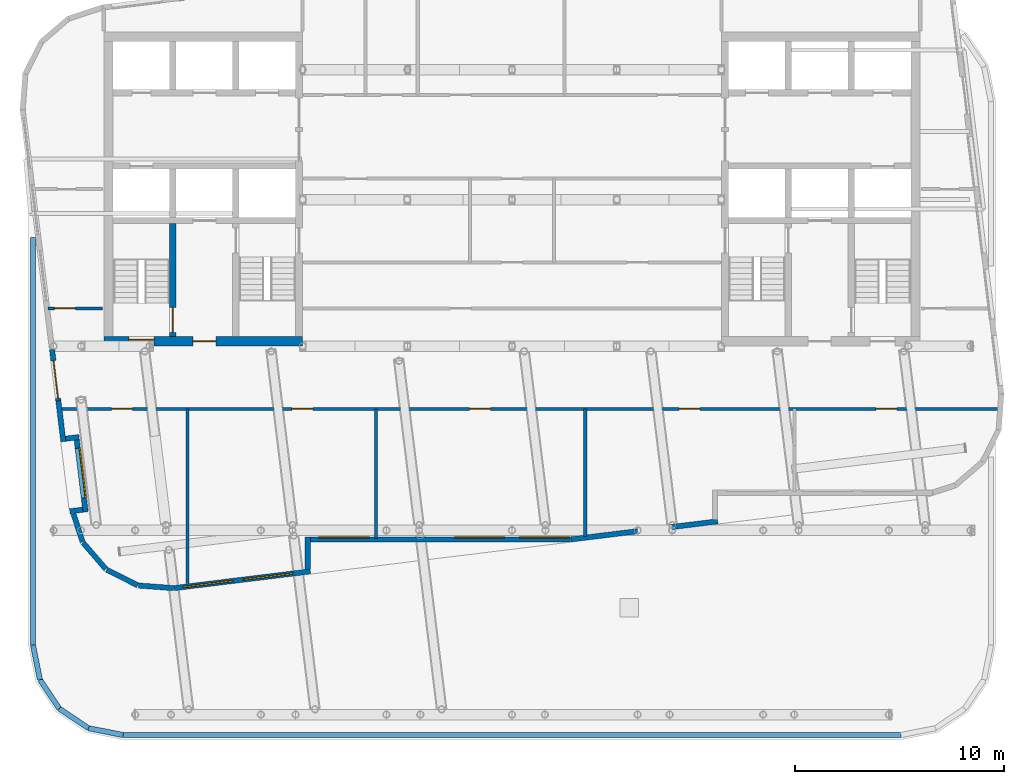
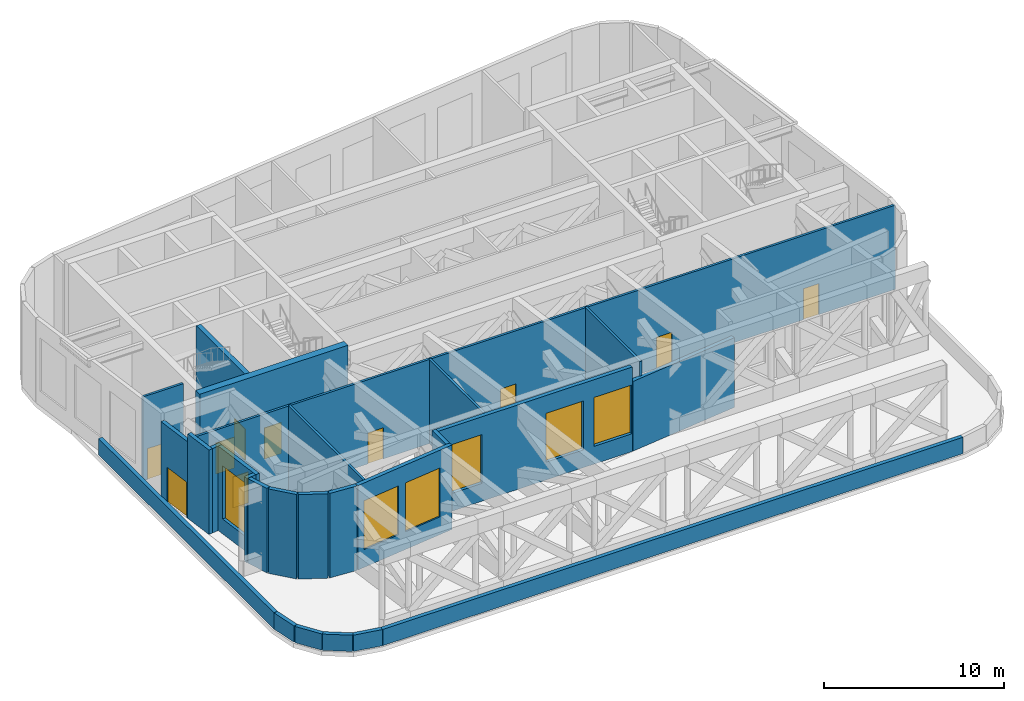
# One storey, part 9 of 16: 26 walls, 10 doors, 6 windows, 16 openings.
"""IFC4 building model written with IfcOpenShell, lengths in metres."""

from ifc_helpers import new_model, si_unit, direction, frame, frame_2d, origin, place, context, subcontext, project, spatial, rectangle, extrude, material, layer, layer_set, type_object, element, fill, save


model = new_model("IFC4")

# Units and contexts
model_context = context("Model", 3, precision=1e-05, world=origin(), true_north=direction((0.0, 1.0)))
body_context = subcontext(model_context, "Body", "Model", "MODEL_VIEW")
ifc_project = project(units=[si_unit("LENGTHUNIT", "METRE"), si_unit("AREAUNIT", "SQUARE_METRE"), si_unit("VOLUMEUNIT", "CUBIC_METRE"), si_unit("PLANEANGLEUNIT", "RADIAN"), si_unit("MASSUNIT", "GRAM", prefix="KILO")], contexts=[model_context])

# Site, building, storey
site_placement = place(None, origin())
site = spatial("IfcSite", under=ifc_project, at=site_placement, CompositionType="ELEMENT")
building_placement = place(site_placement, origin())
building = spatial("IfcBuilding", under=site, at=building_placement, Name="Torana Hotel and Residences", CompositionType="ELEMENT")
storey_placement = place(building_placement, frame((0.0, 0.0, 308.60009765625)))
storey = spatial("IfcBuildingStorey", under=building, at=storey_placement, Name="L82", CompositionType="ELEMENT", Elevation=308.60009765625)

# Wall, opening, door
ifc_material_1 = material(Name="Concrete C60/75", Category="concrete")
ifc_layer_1 = layer(ifc_material_1, 0.300048828125)
ifc_layer_set_1 = layer_set([ifc_layer_1], Name="CORE WALL 300 C60/75")
wall_type_1 = type_object("IfcWallType", Name="CORE WALL 300 C60/75", PredefinedType="SHEAR", material=ifc_layer_set_1)
wall_1_placement = place(storey_placement, frame((-16.199951171875, -14.550048828125, 0.0), z_axis=(0.0, 0.0, 1.0), x_axis=(0.0, 1.0, 0.0)))
wall_1 = element("IfcWall", 1, at=wall_1_placement, inside=storey, type_object=wall_type_1, Name="Core wall W x6.05-band", PredefinedType="SHEAR", context=body_context, shape_type="SweptSolid", body=[
    extrude(rectangle(XDim=5.400146484375, YDim=0.300048828125, at=frame_2d((2.7001953125, 0.0))), origin(), (0.0, 0.0, 1.0), 6.0),
])
opening_1_placement = place(wall_1_placement, frame((0.199951171875, 0.0, 0.0)))
opening_1 = element("IfcOpeningElement", 2, at=opening_1_placement, cuts=wall_1, Name="Opening L82-08", PredefinedType="OPENING", context=body_context, shape_type="SweptSolid", body=[
    extrude(rectangle(XDim=1.199951171875, YDim=2.10009765625, at=frame_2d((0.60009765625, 1.050048828125))), frame((0.0, 0.159912109375, 0.0), z_axis=(0.0, -1.0, 0.0), x_axis=(1.0, 0.0, 0.0)), (0.0, 0.0, 1.0), 0.320068359375),
])
ifc_material_2 = material(Name="Steel S235", Category="steel")
door_type_1 = type_object("IfcDoorType", Name="STAIR FIRE DOOR D3 1200x2100", OperationType="SINGLE_SWING_LEFT", PredefinedType="DOOR", material=ifc_material_2)
door_1_placement = place(opening_1_placement, origin())
door_1 = element("IfcDoor", 3, at=door_1_placement, inside=storey, type_object=door_type_1, Name="Stair-B-lobby door L82", OperationType="SINGLE_SWING_RIGHT", OverallHeight=2.10009765625, OverallWidth=1.199951171875, PredefinedType="DOOR", context=body_context, shape_type="SweptSolid", body=[
    extrude(rectangle(XDim=1.199951171875, YDim=2.10009765625, at=frame_2d((0.60009765625, 1.050048828125))), frame((0.0, 0.02490234375, 0.0), z_axis=(0.0, -1.0, 0.0), x_axis=(1.0, 0.0, 0.0)), (0.0, 0.0, 1.0), 0.050048828125),
])
fill(opening_1, door_1)

# Wall, openings, doors
ifc_material_3 = material(Name="Concrete C60/75", Category="concrete")
ifc_layer_2 = layer(ifc_material_3, 0.449951171875)
ifc_layer_set_2 = layer_set([ifc_layer_2], Name="CORE WALL 450 C60/75")
wall_type_2 = type_object("IfcWallType", Name="CORE WALL 450 C60/75", PredefinedType="SHEAR", material=ifc_layer_set_2)
wall_2_placement = place(storey_placement, frame((-19.5, -14.77490234375, 0.0), z_axis=(0.0, 0.0, 1.0), x_axis=(1.0, 0.0, 0.0)))
wall_2 = element("IfcWall", 4, at=wall_2_placement, inside=storey, type_object=wall_type_2, Name="Core wall W front", PredefinedType="SHEAR", context=body_context, shape_type="SweptSolid", body=[
    extrude(rectangle(XDim=9.5, YDim=0.449951171875, at=frame_2d((4.75, 0.0))), origin(), (0.0, 0.0, 1.0), 6.0),
])
opening_2_placement = place(wall_2_placement, frame((1.199951171875, 0.0, 0.0)))
opening_2 = element("IfcOpeningElement", 5, at=opening_2_placement, cuts=wall_2, Name="Opening L82-04", PredefinedType="OPENING", context=body_context, shape_type="SweptSolid", body=[
    extrude(rectangle(XDim=1.199951171875, YDim=2.10009765625, at=frame_2d((0.60009765625, 1.050048828125))), frame((0.0, 0.23486328125, 0.0), z_axis=(0.0, -1.0, 0.0), x_axis=(1.0, 0.0, 0.0)), (0.0, 0.0, 1.0), 0.469970703125),
])
opening_3_placement = place(wall_2_placement, frame((4.25, 0.0, 0.0)))
opening_3 = element("IfcOpeningElement", 6, at=opening_3_placement, cuts=wall_2, Name="Opening L82-05", PredefinedType="OPENING", context=body_context, shape_type="SweptSolid", body=[
    extrude(rectangle(XDim=1.10009765625, YDim=2.10009765625, at=frame_2d((0.550048828125, 1.050048828125))), frame((0.0, 0.23486328125, 0.0), z_axis=(0.0, -1.0, 0.0), x_axis=(1.0, 0.0, 0.0)), (0.0, 0.0, 1.0), 0.469970703125),
])
ifc_material_4 = material(Name="Steel S235", Category="steel")
door_type_2 = type_object("IfcDoorType", Name="FIRE-FIGHTING LOBBY DOOR D8 1100x2100", OperationType="SINGLE_SWING_LEFT", PredefinedType="DOOR", material=ifc_material_4)
door_2_placement = place(opening_3_placement, origin())
door_2 = element("IfcDoor", 7, at=door_2_placement, inside=storey, type_object=door_type_2, Name="FF-lobby door L82", OperationType="SINGLE_SWING_RIGHT", OverallHeight=2.10009765625, OverallWidth=1.10009765625, PredefinedType="DOOR", context=body_context, shape_type="SweptSolid", body=[
    extrude(rectangle(XDim=1.10009765625, YDim=2.10009765625, at=frame_2d((0.550048828125, 1.050048828125))), frame((0.0, 0.02490234375, 0.0), z_axis=(0.0, -1.0, 0.0), x_axis=(1.0, 0.0, 0.0)), (0.0, 0.0, 1.0), 0.050048828125),
])
fill(opening_3, door_2)
door_3_placement = place(opening_2_placement, origin())
door_3 = element("IfcDoor", 8, at=door_3_placement, inside=storey, type_object=door_type_1, Name="Stair-B door L82", OperationType="SINGLE_SWING_RIGHT", OverallHeight=2.10009765625, OverallWidth=1.199951171875, PredefinedType="DOOR", context=body_context, shape_type="SweptSolid", body=[
    extrude(rectangle(XDim=1.199951171875, YDim=2.10009765625, at=frame_2d((0.60009765625, 1.050048828125))), frame((0.0, 0.10498046875, 0.0), z_axis=(0.0, -1.0, 0.0), x_axis=(1.0, 0.0, 0.0)), (0.0, 0.0, 1.0), 0.050048828125),
])
fill(opening_2, door_3)

# Wall
ifc_material_5 = material(Name="Aluminium louvre wall", Category="aluminium")
ifc_layer_3 = layer(ifc_material_5, 0.25)
ifc_layer_set_3 = layer_set([ifc_layer_3], Name="EW3 LOUVRE WALL 250")
wall_type_3 = type_object("IfcWallType", Name="EW3 LOUVRE WALL 250", PredefinedType="SOLIDWALL", material=ifc_layer_set_3)
wall_3_placement = place(storey_placement, frame((-21.3212890625, -19.423583984375, 0.0), z_axis=(0.0, 0.0, 1.0), x_axis=(0.992544261174, 0.121884739035, 0.0)))
element("IfcWall", 9, at=wall_3_placement, inside=storey, type_object=wall_type_3, Name="Louvre wall L82 e0.9r1", PredefinedType="SOLIDWALL", context=body_context, shape_type="SweptSolid", body=[
    extrude(rectangle(XDim=0.64306640625, YDim=0.25, at=frame_2d((0.321533203125, 0.0))), origin(), (0.0, 0.0, 1.0), 5.719970703125),
])

# Wall, opening, window
wall_4_placement = place(storey_placement, frame((-20.7919921875, -19.484619140625, 0.0), z_axis=(0.0, 0.0, 1.0), x_axis=(0.121849912676, -0.992548537242, 0.0)))
wall_4 = element("IfcWall", 10, at=wall_4_placement, inside=storey, type_object=wall_type_3, Name="Louvre wall L82 e0.9b", PredefinedType="SOLIDWALL", context=body_context, shape_type="SweptSolid", body=[
    extrude(rectangle(XDim=3.46630859375, YDim=0.25, at=frame_2d((1.733154296875, 0.0))), origin(), (0.0, 0.0, 1.0), 5.719970703125),
])
opening_4_placement = place(wall_4_placement, frame((0.39599609375, 0.0, 1.0048828125)))
opening_4 = element("IfcOpeningElement", 11, at=opening_4_placement, cuts=wall_4, Name="Opening LV2", PredefinedType="OPENING", context=body_context, shape_type="SweptSolid", body=[
    extrude(rectangle(XDim=2.39990234375, YDim=3.60009765625, at=frame_2d((1.199951171875, 1.800048828125))), frame((0.0, 0.135009765625, 0.0), z_axis=(0.0, -1.0, 0.0), x_axis=(1.0, 0.0, 0.0)), (0.0, 0.0, 1.0), 0.27001953125),
])
ifc_material_6 = material(Name="Aluminium louvre blades", Category="aluminium")
window_type = type_object("IfcWindowType", Name="LV2 LOUVRE 2400x3600", PartitioningType="SINGLE_PANEL", PredefinedType="USERDEFINED", material=ifc_material_6)
window_1_placement = place(opening_4_placement, origin())
window_1 = element("IfcWindow", 12, at=window_1_placement, inside=storey, type_object=window_type, Name="Louvre L82", ObjectType="LOUVRE", OverallHeight=3.60009765625, OverallWidth=2.39990234375, PartitioningType="SINGLE_PANEL", PredefinedType="USERDEFINED", context=body_context, shape_type="SweptSolid", body=[
    extrude(rectangle(XDim=2.39990234375, YDim=3.60009765625, at=frame_2d((1.199951171875, 1.800048828125))), frame((0.0, 0.125, 0.0), z_axis=(0.0, -1.0, 0.0), x_axis=(1.0, 0.0, 0.0)), (0.0, 0.0, 1.0), 0.06005859375),
])
fill(opening_4, window_1)

# Walls
wall_5_placement = place(storey_placement, frame((-20.5087890625, -22.816162109375, 0.0), z_axis=(0.0, 0.0, 1.0), x_axis=(-0.992567834349, -0.121692621863, 0.0)))
element("IfcWall", 13, at=wall_5_placement, inside=storey, type_object=wall_type_3, Name="Louvre wall L82 e0.9r2", PredefinedType="SOLIDWALL", context=body_context, shape_type="SweptSolid", body=[
    extrude(rectangle(XDim=0.615966796875, YDim=0.25, at=frame_2d((0.30810546875, 0.0))), origin(), (0.0, 0.0, 1.0), 5.719970703125),
])
wall_6_placement = place(storey_placement, frame((-20.9482421875, -23.020751953125, 0.0), z_axis=(0.0, 0.0, 1.0), x_axis=(0.31308991213, -0.949723489718, 0.0)))
element("IfcWall", 14, at=wall_6_placement, inside=storey, type_object=wall_type_3, Name="Louvre wall L82 e0.10", PredefinedType="SOLIDWALL", context=body_context, shape_type="SweptSolid", body=[
    extrude(rectangle(XDim=1.4013671875, YDim=0.25, at=frame_2d((0.70068359375, 0.0))), origin(), (0.0, 0.0, 1.0), 5.719970703125),
])
for number, where, z_axis, x_axis, name in (
    (15, (-20.4853515625, -24.39404296875, 0.0), (0.0, 0.0, 1.0), (0.652755886531, -0.757568315466, 0.0), "Louvre wall L82 e0.11"),
    (16, (-19.36572265625, -25.678955078125, 0.0), (0.0, 0.0, 1.0), (0.893007580524, -0.450041621549, 0.0), "Louvre wall L82 e0.12"),
):
    element("IfcWall", number, at=place(storey_placement, frame(where, z_axis=z_axis, x_axis=x_axis)), inside=storey, type_object=wall_type_3, Name=name, PredefinedType="SOLIDWALL", context=body_context, shape_type="SweptSolid", body=[
        extrude(rectangle(XDim=1.65625, YDim=0.25, at=frame_2d((0.828125, 0.0))), origin(), (0.0, 0.0, 1.0), 5.719970703125),
    ])
wall_7_placement = place(storey_placement, frame((-17.839599609375, -26.4375, 0.0), z_axis=(0.0, 0.0, 1.0), x_axis=(0.997254267475, -0.074053534713, 0.0)))
element("IfcWall", 17, at=wall_7_placement, inside=storey, type_object=wall_type_3, Name="Louvre wall L82 e0.13", PredefinedType="SOLIDWALL", context=body_context, shape_type="SweptSolid", body=[
    extrude(rectangle(XDim=1.681396484375, YDim=0.25, at=frame_2d((0.8408203125, 0.0))), origin(), (0.0, 0.0, 1.0), 5.719970703125),
])

# Wall, openings, windows
wall_8_placement = place(storey_placement, frame((-16.13818359375, -26.561279296875, 0.0), z_axis=(0.0, 0.0, 1.0), x_axis=(0.992550651974, 0.12183268554, 0.0)))
wall_8 = element("IfcWall", 18, at=wall_8_placement, inside=storey, type_object=wall_type_3, Name="Louvre wall L82 e0.14a", PredefinedType="SOLIDWALL", context=body_context, shape_type="SweptSolid", body=[
    extrude(rectangle(XDim=6.55078125, YDim=0.25, at=frame_2d((3.275390625, 0.0))), origin(), (0.0, 0.0, 1.0), 5.719970703125),
])
opening_5_placement = place(wall_8_placement, frame((0.43408203125, 0.0, 1.205078125)))
opening_5 = element("IfcOpeningElement", 19, at=opening_5_placement, cuts=wall_8, Name="Opening LV2", PredefinedType="OPENING", context=body_context, shape_type="SweptSolid", body=[
    extrude(rectangle(XDim=2.39990234375, YDim=3.31005859375, at=frame_2d((1.199951171875, 1.655029296875))), frame((0.0, 0.135009765625, 0.0), z_axis=(0.0, -1.0, 0.0), x_axis=(1.0, 0.0, 0.0)), (0.0, 0.0, 1.0), 0.27001953125),
])
opening_6_placement = place(wall_8_placement, frame((3.302490234375, 0.0, 1.205078125)))
opening_6 = element("IfcOpeningElement", 20, at=opening_6_placement, cuts=wall_8, Name="Opening LV2", PredefinedType="OPENING", context=body_context, shape_type="SweptSolid", body=[
    extrude(rectangle(XDim=2.39990234375, YDim=3.31005859375, at=frame_2d((1.199951171875, 1.655029296875))), frame((0.0, 0.135009765625, 0.0), z_axis=(0.0, -1.0, 0.0), x_axis=(1.0, 0.0, 0.0)), (0.0, 0.0, 1.0), 0.27001953125),
])
window_2_placement = place(opening_5_placement, origin())
window_2 = element("IfcWindow", 21, at=window_2_placement, inside=storey, type_object=window_type, Name="Louvre L82", ObjectType="LOUVRE", OverallHeight=3.31005859375, OverallWidth=2.39990234375, PartitioningType="SINGLE_PANEL", PredefinedType="USERDEFINED", context=body_context, shape_type="SweptSolid", body=[
    extrude(rectangle(XDim=2.39990234375, YDim=3.31005859375, at=frame_2d((1.199951171875, 1.655029296875))), frame((0.0, 0.030029296875, 0.0), z_axis=(0.0, -1.0, 0.0), x_axis=(1.0, 0.0, 0.0)), (0.0, 0.0, 1.0), 0.06005859375),
])
fill(opening_5, window_2)
window_3_placement = place(opening_6_placement, origin())
window_3 = element("IfcWindow", 22, at=window_3_placement, inside=storey, type_object=window_type, Name="Louvre L82", ObjectType="LOUVRE", OverallHeight=3.31005859375, OverallWidth=2.39990234375, PartitioningType="SINGLE_PANEL", PredefinedType="USERDEFINED", context=body_context, shape_type="SweptSolid", body=[
    extrude(rectangle(XDim=2.39990234375, YDim=3.31005859375, at=frame_2d((1.199951171875, 1.655029296875))), frame((0.0, 0.030029296875, 0.0), z_axis=(0.0, -1.0, 0.0), x_axis=(1.0, 0.0, 0.0)), (0.0, 0.0, 1.0), 0.06005859375),
])
fill(opening_6, window_3)

# Wall
wall_9_placement = place(storey_placement, frame((-9.76025390625, -25.667724609375, 0.0), z_axis=(0.0, 0.0, 1.0), x_axis=(0.0, 1.0, 0.0)))
element("IfcWall", 23, at=wall_9_placement, inside=storey, type_object=wall_type_3, Name="Louvre wall L82 e0.14r1", PredefinedType="SOLIDWALL", context=body_context, shape_type="SweptSolid", body=[
    extrude(rectangle(XDim=1.5576171875, YDim=0.25, at=frame_2d((0.77880859375, 0.0))), origin(), (0.0, 0.0, 1.0), 5.719970703125),
])

# Wall, openings, windows
wall_10_placement = place(storey_placement, frame((-9.63525390625, -24.235107421875, 0.0), z_axis=(0.0, 0.0, 1.0), x_axis=(1.0, 0.0, 0.0)))
wall_10 = element("IfcWall", 24, at=wall_10_placement, inside=storey, type_object=wall_type_3, Name="Louvre wall L82 e0.14b", PredefinedType="SOLIDWALL", context=body_context, shape_type="SweptSolid", body=[
    extrude(rectangle(XDim=12.43701171875, YDim=0.25, at=frame_2d((6.218505859375, 0.0))), origin(), (0.0, 0.0, 1.0), 5.719970703125),
])
opening_7_placement = place(wall_10_placement, frame((0.40673828125, 0.0, 1.205078125)))
opening_7 = element("IfcOpeningElement", 25, at=opening_7_placement, cuts=wall_10, Name="Opening LV2", PredefinedType="OPENING", context=body_context, shape_type="SweptSolid", body=[
    extrude(rectangle(XDim=2.39990234375, YDim=3.31005859375, at=frame_2d((1.199951171875, 1.655029296875))), frame((0.0, 0.135009765625, 0.0), z_axis=(0.0, -1.0, 0.0), x_axis=(1.0, 0.0, 0.0)), (0.0, 0.0, 1.0), 0.27001953125),
])
opening_8_placement = place(wall_10_placement, frame((6.89453125, 0.0, 1.205078125)))
opening_8 = element("IfcOpeningElement", 26, at=opening_8_placement, cuts=wall_10, Name="Opening LV2", PredefinedType="OPENING", context=body_context, shape_type="SweptSolid", body=[
    extrude(rectangle(XDim=2.39990234375, YDim=3.31005859375, at=frame_2d((1.199951171875, 1.655029296875))), frame((0.0, 0.135009765625, 0.0), z_axis=(0.0, -1.0, 0.0), x_axis=(1.0, 0.0, 0.0)), (0.0, 0.0, 1.0), 0.27001953125),
])
opening_9_placement = place(wall_10_placement, frame((9.989501953125, 0.0, 1.205078125)))
opening_9 = element("IfcOpeningElement", 27, at=opening_9_placement, cuts=wall_10, Name="Opening LV2", PredefinedType="OPENING", context=body_context, shape_type="SweptSolid", body=[
    extrude(rectangle(XDim=2.39990234375, YDim=3.31005859375, at=frame_2d((1.199951171875, 1.655029296875))), frame((0.0, 0.135009765625, 0.0), z_axis=(0.0, -1.0, 0.0), x_axis=(1.0, 0.0, 0.0)), (0.0, 0.0, 1.0), 0.27001953125),
])
window_4_placement = place(opening_7_placement, origin())
window_4 = element("IfcWindow", 28, at=window_4_placement, inside=storey, type_object=window_type, Name="Louvre L82", ObjectType="LOUVRE", OverallHeight=3.31005859375, OverallWidth=2.39990234375, PartitioningType="SINGLE_PANEL", PredefinedType="USERDEFINED", context=body_context, shape_type="SweptSolid", body=[
    extrude(rectangle(XDim=2.39990234375, YDim=3.31005859375, at=frame_2d((1.199951171875, 1.655029296875))), frame((0.0, 0.125, 0.0), z_axis=(0.0, -1.0, 0.0), x_axis=(1.0, 0.0, 0.0)), (0.0, 0.0, 1.0), 0.06005859375),
])
fill(opening_7, window_4)
window_5_placement = place(opening_8_placement, origin())
window_5 = element("IfcWindow", 29, at=window_5_placement, inside=storey, type_object=window_type, Name="Louvre L82", ObjectType="LOUVRE", OverallHeight=3.31005859375, OverallWidth=2.39990234375, PartitioningType="SINGLE_PANEL", PredefinedType="USERDEFINED", context=body_context, shape_type="SweptSolid", body=[
    extrude(rectangle(XDim=2.39990234375, YDim=3.31005859375, at=frame_2d((1.199951171875, 1.655029296875))), frame((0.0, 0.125, 0.0), z_axis=(0.0, -1.0, 0.0), x_axis=(1.0, 0.0, 0.0)), (0.0, 0.0, 1.0), 0.06005859375),
])
fill(opening_8, window_5)
window_6_placement = place(opening_9_placement, origin())
window_6 = element("IfcWindow", 30, at=window_6_placement, inside=storey, type_object=window_type, Name="Louvre L82", ObjectType="LOUVRE", OverallHeight=3.31005859375, OverallWidth=2.39990234375, PartitioningType="SINGLE_PANEL", PredefinedType="USERDEFINED", context=body_context, shape_type="SweptSolid", body=[
    extrude(rectangle(XDim=2.39990234375, YDim=3.31005859375, at=frame_2d((1.199951171875, 1.655029296875))), frame((0.0, 0.125, 0.0), z_axis=(0.0, -1.0, 0.0), x_axis=(1.0, 0.0, 0.0)), (0.0, 0.0, 1.0), 0.06005859375),
])
fill(opening_9, window_6)

# Wall
wall_11_placement = place(storey_placement, frame((2.81689453125, -24.234130859375, 0.0), z_axis=(0.0, 0.0, 1.0), x_axis=(0.992544629111, 0.121881742782, 0.0)))
element("IfcWall", 31, at=wall_11_placement, inside=storey, type_object=wall_type_3, Name="Louvre wall L82 e0.14c", PredefinedType="SOLIDWALL", context=body_context, shape_type="SweptSolid", body=[
    extrude(rectangle(XDim=7.06298828125, YDim=0.25, at=frame_2d((3.531494140625, 0.0))), origin(), (0.0, 0.0, 1.0), 4.719970703125),
])

# Wall, opening, door
wall_12_placement = place(storey_placement, frame((-21.97021484375, -15.16552734375, 0.0), z_axis=(0.0, 0.0, 1.0), x_axis=(0.121935848955, -0.992537983525, 0.0)))
wall_12 = element("IfcWall", 32, at=wall_12_placement, inside=storey, type_object=wall_type_3, Name="Louvre wall L82 e0.9a", PredefinedType="SOLIDWALL", context=body_context, shape_type="SweptSolid", body=[
    extrude(rectangle(XDim=2.462646484375, YDim=0.25, at=frame_2d((1.2314453125, 0.0))), origin(), (0.0, 0.0, 1.0), 5.17578125),
])
opening_10_placement = place(wall_12_placement, frame((0.541259765625, 0.0, 0.0)))
opening_10 = element("IfcOpeningElement", 33, at=opening_10_placement, cuts=wall_12, Name="Opening L82-E01", PredefinedType="OPENING", context=body_context, shape_type="SweptSolid", body=[
    extrude(rectangle(XDim=1.800048828125, YDim=2.39990234375, at=frame_2d((0.89990234375, 1.199951171875))), frame((0.0, 0.135009765625, 0.0), z_axis=(0.0, -1.0, 0.0), x_axis=(1.0, 0.0, 0.0)), (0.0, 0.0, 1.0), 0.27001953125),
])
ifc_material_7 = material(Name="Dark glass in black aluminium frame", Category="aluminium")
door_type_3 = type_object("IfcDoorType", Name="DE2 TERRACE DOOR 1800x2400", OperationType="DOUBLE_DOOR_SINGLE_SWING", PredefinedType="DOOR", material=ifc_material_7)
door_4_placement = place(opening_10_placement, origin())
door_4 = element("IfcDoor", 34, at=door_4_placement, inside=storey, type_object=door_type_3, Name="Terrace door L82", OperationType="DOUBLE_DOOR_SINGLE_SWING", OverallHeight=2.39990234375, OverallWidth=1.800048828125, PredefinedType="DOOR", context=body_context, shape_type="SweptSolid", body=[
    extrude(rectangle(XDim=1.800048828125, YDim=2.39990234375, at=frame_2d((0.89990234375, 1.199951171875))), frame((0.0, 0.02490234375, 0.0), z_axis=(0.0, -1.0, 0.0), x_axis=(1.0, 0.0, 0.0)), (0.0, 0.0, 1.0), 0.050048828125),
])
fill(opening_10, door_4)

# Wall
wall_13_placement = place(storey_placement, frame((-21.669921875, -17.60986328125, 0.0), z_axis=(0.0, 0.0, 1.0), x_axis=(0.121850554592, -0.992548458437, 0.0)))
element("IfcWall", 35, at=wall_13_placement, inside=storey, type_object=wall_type_3, Name="Louvre wall L82 e0.9a", PredefinedType="SOLIDWALL", context=body_context, shape_type="SweptSolid", body=[
    extrude(rectangle(XDim=1.967529296875, YDim=0.25, at=frame_2d((0.98388671875, 0.0))), origin(), (0.0, 0.0, 1.0), 5.719970703125),
])

# Wall, openings, doors
ifc_material_8 = material(Name="Gypsum plaster")
ifc_layer_4 = layer(ifc_material_8, 0.014892578125, Name="Plaster", Category="finish")
ifc_material_9 = material(Name="Concrete blockwork", Category="masonry")
ifc_layer_5 = layer(ifc_material_9, 0.1201171875, Name="Blockwork", Category="structure")
ifc_layer_6 = layer(ifc_material_8, 0.014892578125, Name="Plaster", Category="finish")
ifc_layer_set_4 = layer_set([ifc_layer_4, ifc_layer_5, ifc_layer_6], Name="FIRE PARTITION 150 BLOCKWORK")
wall_type_4 = type_object("IfcWallType", Name="FIRE PARTITION 150 BLOCKWORK", PredefinedType="PARTITIONING", material=ifc_layer_set_4)
wall_14_placement = place(storey_placement, frame((-21.566650390625, -18.0, 0.0), z_axis=(0.0, 0.0, 1.0), x_axis=(1.0, 0.0, 0.0)))
wall_14 = element("IfcWall", 36, at=wall_14_placement, inside=storey, type_object=wall_type_4, Name="Partition L82", PredefinedType="PARTITIONING", context=body_context, shape_type="SweptSolid", body=[
    extrude(rectangle(XDim=44.83544921875, YDim=0.14990234375, at=frame_2d((22.417724609375, 0.0))), origin(), (0.0, 0.0, 1.0), 5.699951171875),
])
opening_11_placement = place(wall_14_placement, frame((2.444580078125, 0.0, 0.0)))
opening_11 = element("IfcOpeningElement", 37, at=opening_11_placement, cuts=wall_14, Name="Opening L82-18", PredefinedType="OPENING", context=body_context, shape_type="SweptSolid", body=[
    extrude(rectangle(XDim=1.0, YDim=2.10009765625, at=frame_2d((0.5, 1.050048828125))), frame((0.0, 0.0849609375, 0.0), z_axis=(0.0, -1.0, 0.0), x_axis=(1.0, 0.0, 0.0)), (0.0, 0.0, 1.0), 0.169921875),
])
opening_12_placement = place(wall_14_placement, frame((11.050048828125, 0.0, 0.0)))
opening_12 = element("IfcOpeningElement", 38, at=opening_12_placement, cuts=wall_14, Name="Opening L82-19", PredefinedType="OPENING", context=body_context, shape_type="SweptSolid", body=[
    extrude(rectangle(XDim=1.0, YDim=2.10009765625, at=frame_2d((0.5, 1.050048828125))), frame((0.0, 0.0849609375, 0.0), z_axis=(0.0, -1.0, 0.0), x_axis=(1.0, 0.0, 0.0)), (0.0, 0.0, 1.0), 0.169921875),
])
opening_13_placement = place(wall_14_placement, frame((19.544677734375, 0.0, 0.0)))
opening_13 = element("IfcOpeningElement", 39, at=opening_13_placement, cuts=wall_14, Name="Opening L82-20", PredefinedType="OPENING", context=body_context, shape_type="SweptSolid", body=[
    extrude(rectangle(XDim=1.0, YDim=2.10009765625, at=frame_2d((0.5, 1.050048828125))), frame((0.0, 0.0849609375, 0.0), z_axis=(0.0, -1.0, 0.0), x_axis=(1.0, 0.0, 0.0)), (0.0, 0.0, 1.0), 0.169921875),
])
opening_14_placement = place(wall_14_placement, frame((29.544677734375, 0.0, 0.0)))
opening_14 = element("IfcOpeningElement", 40, at=opening_14_placement, cuts=wall_14, Name="Opening L82-21", PredefinedType="OPENING", context=body_context, shape_type="SweptSolid", body=[
    extrude(rectangle(XDim=1.0, YDim=2.10009765625, at=frame_2d((0.5, 1.050048828125))), frame((0.0, 0.0849609375, 0.0), z_axis=(0.0, -1.0, 0.0), x_axis=(1.0, 0.0, 0.0)), (0.0, 0.0, 1.0), 0.169921875),
])
opening_15_placement = place(wall_14_placement, frame((38.94580078125, 0.0, 0.0)))
opening_15 = element("IfcOpeningElement", 41, at=opening_15_placement, cuts=wall_14, Name="Opening L82-22", PredefinedType="OPENING", context=body_context, shape_type="SweptSolid", body=[
    extrude(rectangle(XDim=1.0, YDim=2.10009765625, at=frame_2d((0.5, 1.050048828125))), frame((0.0, 0.0849609375, 0.0), z_axis=(0.0, -1.0, 0.0), x_axis=(1.0, 0.0, 0.0)), (0.0, 0.0, 1.0), 0.169921875),
])
ifc_material_10 = material(Name="Steel S235", Category="steel")
door_type_4 = type_object("IfcDoorType", Name="ENTRY FIRE DOOR D6 1000x2100", OperationType="SINGLE_SWING_LEFT", PredefinedType="DOOR", material=ifc_material_10)
door_5_placement = place(opening_11_placement, frame((0.5, 0.0, 0.0), z_axis=(0.0, 0.0, 1.0), x_axis=(-1.0, 0.0, 0.0)))
door_5 = element("IfcDoor", 42, at=door_5_placement, inside=storey, type_object=door_type_4, Name="Door L82", OperationType="SINGLE_SWING_LEFT", OverallHeight=2.10009765625, OverallWidth=1.0, PredefinedType="DOOR", context=body_context, shape_type="SweptSolid", body=[
    extrude(rectangle(XDim=1.0, YDim=2.10009765625, at=frame_2d((0.0, 1.050048828125))), frame((0.0, -0.02490234375, 0.0), z_axis=(0.0, 1.0, 0.0), x_axis=(-1.0, 0.0, 0.0)), (0.0, 0.0, 1.0), 0.050048828125),
])
fill(opening_11, door_5)
door_6_placement = place(opening_12_placement, frame((0.5, 0.0, 0.0), z_axis=(0.0, 0.0, 1.0), x_axis=(-1.0, 0.0, 0.0)))
door_6 = element("IfcDoor", 43, at=door_6_placement, inside=storey, type_object=door_type_4, Name="Door L82", OperationType="SINGLE_SWING_LEFT", OverallHeight=2.10009765625, OverallWidth=1.0, PredefinedType="DOOR", context=body_context, shape_type="SweptSolid", body=[
    extrude(rectangle(XDim=1.0, YDim=2.10009765625, at=frame_2d((0.0, 1.050048828125))), frame((0.0, -0.02490234375, 0.0), z_axis=(0.0, 1.0, 0.0), x_axis=(-1.0, 0.0, 0.0)), (0.0, 0.0, 1.0), 0.050048828125),
])
fill(opening_12, door_6)
door_7_placement = place(opening_13_placement, frame((0.5, 0.0, 0.0), z_axis=(0.0, 0.0, 1.0), x_axis=(-1.0, 0.0, 0.0)))
door_7 = element("IfcDoor", 44, at=door_7_placement, inside=storey, type_object=door_type_4, Name="Door L82", OperationType="SINGLE_SWING_LEFT", OverallHeight=2.10009765625, OverallWidth=1.0, PredefinedType="DOOR", context=body_context, shape_type="SweptSolid", body=[
    extrude(rectangle(XDim=1.0, YDim=2.10009765625, at=frame_2d((0.0, 1.050048828125))), frame((0.0, -0.02490234375, 0.0), z_axis=(0.0, 1.0, 0.0), x_axis=(-1.0, 0.0, 0.0)), (0.0, 0.0, 1.0), 0.050048828125),
])
fill(opening_13, door_7)
door_8_placement = place(opening_14_placement, frame((0.5, 0.0, 0.0), z_axis=(0.0, 0.0, 1.0), x_axis=(-1.0, 0.0, 0.0)))
door_8 = element("IfcDoor", 45, at=door_8_placement, inside=storey, type_object=door_type_4, Name="Door L82", OperationType="SINGLE_SWING_LEFT", OverallHeight=2.10009765625, OverallWidth=1.0, PredefinedType="DOOR", context=body_context, shape_type="SweptSolid", body=[
    extrude(rectangle(XDim=1.0, YDim=2.10009765625, at=frame_2d((0.0, 1.050048828125))), frame((0.0, -0.02490234375, 0.0), z_axis=(0.0, 1.0, 0.0), x_axis=(-1.0, 0.0, 0.0)), (0.0, 0.0, 1.0), 0.050048828125),
])
fill(opening_14, door_8)
door_9_placement = place(opening_15_placement, frame((0.5, 0.0, 0.0), z_axis=(0.0, 0.0, 1.0), x_axis=(-1.0, 0.0, 0.0)))
door_9 = element("IfcDoor", 46, at=door_9_placement, inside=storey, type_object=door_type_4, Name="Door L82", OperationType="SINGLE_SWING_LEFT", OverallHeight=2.10009765625, OverallWidth=1.0, PredefinedType="DOOR", context=body_context, shape_type="SweptSolid", body=[
    extrude(rectangle(XDim=1.0, YDim=2.10009765625, at=frame_2d((0.0, 1.050048828125))), frame((0.0, -0.02490234375, 0.0), z_axis=(0.0, 1.0, 0.0), x_axis=(-1.0, 0.0, 0.0)), (0.0, 0.0, 1.0), 0.050048828125),
])
fill(opening_15, door_9)

# Wall, opening, door
wall_15_placement = place(storey_placement, frame((-22.156005859375, -13.199951171875, 0.0), z_axis=(0.0, 0.0, 1.0), x_axis=(1.0, 0.0, 0.0)))
wall_15 = element("IfcWall", 47, at=wall_15_placement, inside=storey, type_object=wall_type_4, Name="Partition L82", PredefinedType="PARTITIONING", context=body_context, shape_type="SweptSolid", body=[
    extrude(rectangle(XDim=2.60595703125, YDim=0.14990234375, at=frame_2d((1.302978515625, 0.0))), origin(), (0.0, 0.0, 1.0), 5.699951171875),
])
opening_16_placement = place(wall_15_placement, frame((0.300048828125, 0.0, 0.0)))
opening_16 = element("IfcOpeningElement", 48, at=opening_16_placement, cuts=wall_15, Name="Opening L82-23", PredefinedType="OPENING", context=body_context, shape_type="SweptSolid", body=[
    extrude(rectangle(XDim=1.0, YDim=2.10009765625, at=frame_2d((0.5, 1.050048828125))), frame((0.0, 0.0849609375, 0.0), z_axis=(0.0, -1.0, 0.0), x_axis=(1.0, 0.0, 0.0)), (0.0, 0.0, 1.0), 0.169921875),
])
ifc_material_11 = material(Name="Steel S235", Category="steel")
door_type_5 = type_object("IfcDoorType", Name="CORE ROOM FIRE DOOR D14 1000x2100", OperationType="SINGLE_SWING_LEFT", PredefinedType="DOOR", material=ifc_material_11)
door_10_placement = place(opening_16_placement, origin())
door_10 = element("IfcDoor", 49, at=door_10_placement, inside=storey, type_object=door_type_5, Name="Door L82", OperationType="SINGLE_SWING_RIGHT", OverallHeight=2.10009765625, OverallWidth=1.0, PredefinedType="DOOR", context=body_context, shape_type="SweptSolid", body=[
    extrude(rectangle(XDim=1.0, YDim=2.10009765625, at=frame_2d((0.5, 1.050048828125))), frame((0.0, 0.02490234375, 0.0), z_axis=(0.0, -1.0, 0.0), x_axis=(1.0, 0.0, 0.0)), (0.0, 0.0, 1.0), 0.050048828125),
])
fill(opening_16, door_10)

# Walls
ifc_material_12 = material(Name="Gypsum plasterboard")
ifc_layer_7 = layer(ifc_material_12, 0.012451171875, Name="Plasterboard", Category="finish")
ifc_layer_8 = layer(ifc_material_12, 0.012451171875, Name="Plasterboard", Category="finish")
ifc_material_13 = material(Name="Steel S280GD", Category="steel")
ifc_layer_9 = layer(ifc_material_13, 0.10009765625, Name="Steel studs with mineral wool", Category="insulation")
ifc_layer_10 = layer(ifc_material_12, 0.012451171875, Name="Plasterboard", Category="finish")
ifc_layer_11 = layer(ifc_material_12, 0.012451171875, Name="Plasterboard", Category="finish")
ifc_layer_set_5 = layer_set([ifc_layer_7, ifc_layer_8, ifc_layer_9, ifc_layer_10, ifc_layer_11], Name="PARTITION 150 PLASTERBOARD")
wall_type_5 = type_object("IfcWallType", Name="PARTITION 150 PLASTERBOARD", PredefinedType="PARTITIONING", material=ifc_layer_set_5)
wall_16_placement = place(storey_placement, frame((3.498046875, -24.094970703125, 0.0), z_axis=(0.0, 0.0, 1.0), x_axis=(0.0, 1.0, 0.0)))
element("IfcWall", 50, at=wall_16_placement, inside=storey, type_object=wall_type_5, Name="Partition L82", PredefinedType="PARTITIONING", context=body_context, shape_type="SweptSolid", body=[
    extrude(rectangle(XDim=6.094970703125, YDim=0.14990234375, at=frame_2d((3.04736328125, 0.0))), origin(), (0.0, 0.0, 1.0), 5.699951171875),
])
wall_17_placement = place(storey_placement, frame((-6.501953125, -24.179931640625, 0.0), z_axis=(0.0, 0.0, 1.0), x_axis=(0.0, 1.0, 0.0)))
element("IfcWall", 51, at=wall_17_placement, inside=storey, type_object=wall_type_5, Name="Partition L82", PredefinedType="PARTITIONING", context=body_context, shape_type="SweptSolid", body=[
    extrude(rectangle(XDim=6.179931640625, YDim=0.14990234375, at=frame_2d((3.08984375, 0.0))), origin(), (0.0, 0.0, 1.0), 5.699951171875),
])
wall_18_placement = place(storey_placement, frame((-15.501953125, -26.34521484375, 0.0), z_axis=(0.0, 0.0, 1.0), x_axis=(0.0, 1.0, 0.0)))
element("IfcWall", 52, at=wall_18_placement, inside=storey, type_object=wall_type_5, Name="Partition L82", PredefinedType="PARTITIONING", context=body_context, shape_type="SweptSolid", body=[
    extrude(rectangle(XDim=8.34521484375, YDim=0.14990234375, at=frame_2d((4.172607421875, 0.0))), origin(), (0.0, 0.0, 1.0), 5.699951171875),
])
ifc_material_14 = material(Name="Aluminium coping with drip", Category="aluminium")
ifc_layer_12 = layer(ifc_material_14, 0.0029296875, Name="Coping flashing", Category="flashing")
ifc_material_15 = material(Name="Concrete C40/50 precast", Category="concrete")
ifc_layer_13 = layer(ifc_material_15, 0.00390625, Name="Cladding", Category="cladding")
ifc_material_16 = material(Name="Concrete C40/50", Category="concrete")
ifc_layer_14 = layer(ifc_material_16, 0.199951171875, Name="Wall", Category="structure")
ifc_material_17 = material(Name="Mineral wool insulation")
ifc_layer_15 = layer(ifc_material_17, 0.0400390625, Name="Insulation", Category="insulation")
ifc_material_18 = material(Name="Waterproofing upstand")
ifc_layer_16 = layer(ifc_material_18, 0.0029296875, Name="Upstand membrane", Category="membrane")
ifc_layer_set_6 = layer_set([ifc_layer_12, ifc_layer_13, ifc_layer_14, ifc_layer_15, ifc_layer_16], Name="PP1 PARAPET 250")
wall_type_6 = type_object("IfcWallType", Name="PP1 PARAPET 250", PredefinedType="PARAPET", material=ifc_layer_set_6)
wall_19_placement = place(storey_placement, frame((18.578369140625, -33.580078125, 0.0), z_axis=(0.0, 0.0, 1.0), x_axis=(-1.0, 0.0, 0.0)))
element("IfcWall", 53, at=wall_19_placement, inside=storey, type_object=wall_type_6, Name="Roof parapet L82 9", PredefinedType="PARAPET", context=body_context, shape_type="SweptSolid", body=[
    extrude(rectangle(XDim=37.15673828125, YDim=0.25, at=frame_2d((18.578369140625, 0.0))), origin(), (0.0, 0.0, 1.0), 1.099853515625),
])
wall_20_placement = place(storey_placement, frame((-18.578369140625, -33.580078125, 0.0), z_axis=(0.0, 0.0, 1.0), x_axis=(-0.980780136967, 0.195116178036, 0.0)))
element("IfcWall", 54, at=wall_20_placement, inside=storey, type_object=wall_type_6, Name="Roof parapet L82 10", PredefinedType="PARAPET", context=body_context, shape_type="SweptSolid", body=[
    extrude(rectangle(XDim=1.6904296875, YDim=0.25, at=frame_2d((0.84521484375, 0.0))), origin(), (0.0, 0.0, 1.0), 1.099853515625),
])
wall_21_placement = place(storey_placement, frame((-20.236328125, -33.250244140625, 0.0), z_axis=(0.0, 0.0, 1.0), x_axis=(-0.831464395696, 0.555578040144, 0.0)))
element("IfcWall", 55, at=wall_21_placement, inside=storey, type_object=wall_type_6, Name="Roof parapet L82 11", PredefinedType="PARAPET", context=body_context, shape_type="SweptSolid", body=[
    extrude(rectangle(XDim=1.668212890625, YDim=0.25, at=frame_2d((0.833984375, 0.0))), origin(), (0.0, 0.0, 1.0), 1.099853515625),
])
wall_22_placement = place(storey_placement, frame((-21.623291015625, -32.323486328125, 0.0), z_axis=(0.0, 0.0, 1.0), x_axis=(-0.555611606078, 0.83144196622, 0.0)))
element("IfcWall", 56, at=wall_22_placement, inside=storey, type_object=wall_type_6, Name="Roof parapet L82 12", PredefinedType="PARAPET", context=body_context, shape_type="SweptSolid", body=[
    extrude(rectangle(XDim=1.66845703125, YDim=0.25, at=frame_2d((0.834228515625, 0.0))), origin(), (0.0, 0.0, 1.0), 1.099853515625),
])
wall_23_placement = place(storey_placement, frame((-22.55029296875, -30.936279296875, 0.0), z_axis=(0.0, 0.0, 1.0), x_axis=(-0.194977246893, 0.980807765668, 0.0)))
element("IfcWall", 57, at=wall_23_placement, inside=storey, type_object=wall_type_6, Name="Roof parapet L82 13", PredefinedType="PARAPET", context=body_context, shape_type="SweptSolid", body=[
    extrude(rectangle(XDim=1.6904296875, YDim=0.25, at=frame_2d((0.84521484375, 0.0))), origin(), (0.0, 0.0, 1.0), 1.099853515625),
])
wall_24_placement = place(storey_placement, frame((-22.8798828125, -29.2783203125, 0.0), z_axis=(0.0, 0.0, 1.0), x_axis=(0.0, 1.0, 0.0)))
element("IfcWall", 58, at=wall_24_placement, inside=storey, type_object=wall_type_6, Name="Roof parapet L82 14", PredefinedType="PARAPET", context=body_context, shape_type="SweptSolid", body=[
    extrude(rectangle(XDim=19.455322265625, YDim=0.25, at=frame_2d((9.7275390625, 0.0))), origin(), (0.0, 0.0, 1.0), 1.099853515625),
])

save(model, "model.ifc")
